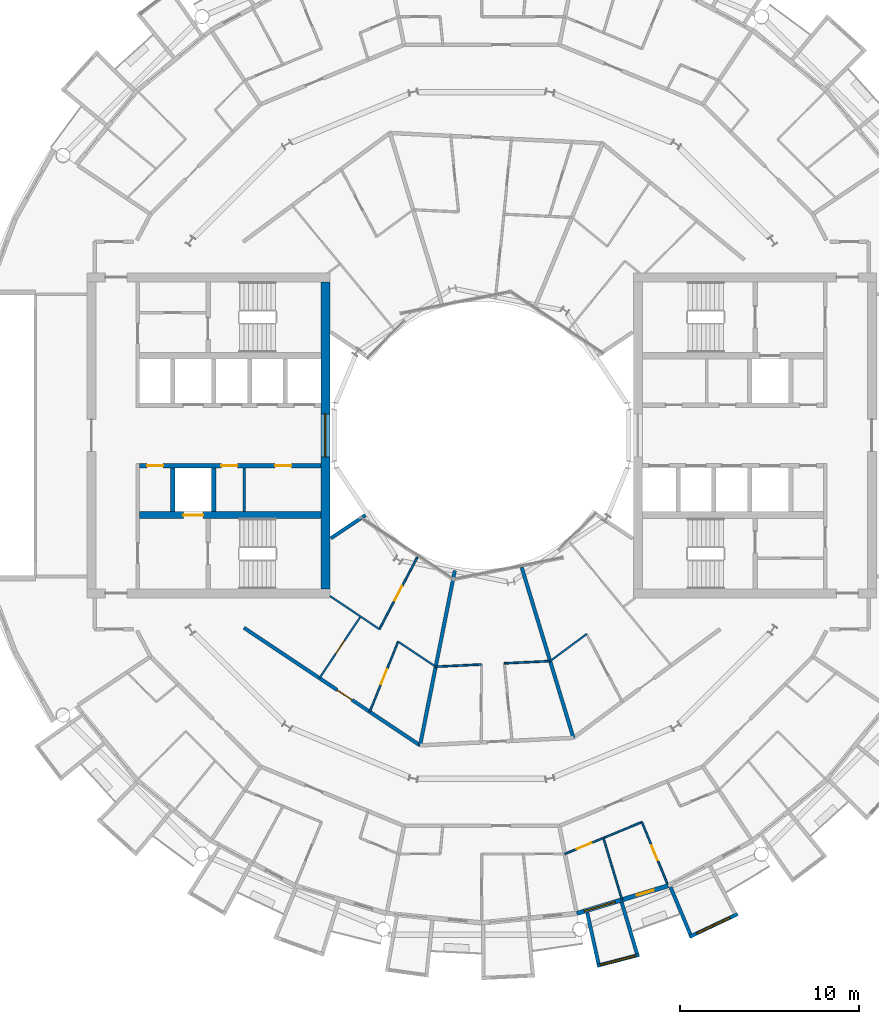
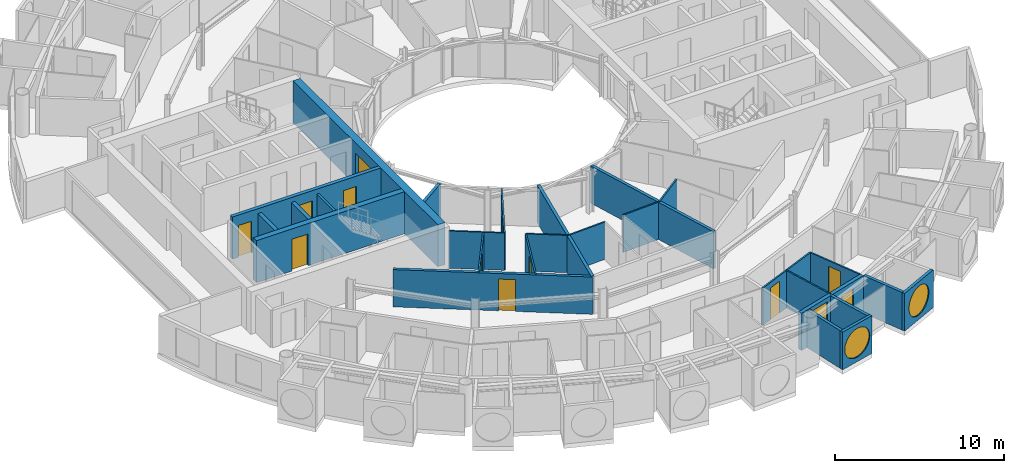
# One storey, part 16 of 27: 27 walls, 11 doors, 4 windows, 15 openings.
"""IFC4 building model written with IfcOpenShell, lengths in metres."""

from ifc_helpers import new_model, si_unit, direction, frame, frame_2d, origin, place, context, subcontext, project, spatial, rectangle, circle, extrude, material, layer, layer_set, type_object, element, fill, save


model = new_model("IFC4")

# Units and contexts
model_context = context("Model", 3, precision=1e-05, world=origin(), true_north=direction((0.0, 1.0)))
body_context = subcontext(model_context, "Body", "Model", "MODEL_VIEW")
ifc_project = project(units=[si_unit("LENGTHUNIT", "METRE"), si_unit("AREAUNIT", "SQUARE_METRE"), si_unit("VOLUMEUNIT", "CUBIC_METRE"), si_unit("PLANEANGLEUNIT", "RADIAN"), si_unit("MASSUNIT", "GRAM", prefix="KILO")], contexts=[model_context])

# Site, building, storey
site_placement = place(None, origin())
site = spatial("IfcSite", under=ifc_project, at=site_placement, CompositionType="ELEMENT")
building_placement = place(site_placement, origin())
building = spatial("IfcBuilding", under=site, at=building_placement, Name="Maasbend Ring Residences", CompositionType="ELEMENT")
storey_placement = place(building_placement, frame((0.0, 0.0, 167.699951171875)))
storey = spatial("IfcBuildingStorey", under=building, at=storey_placement, Name="L48", CompositionType="ELEMENT", Elevation=167.699951171875)

# Wall, openings, doors
ifc_material_1 = material(Name="Concrete C60/75", Category="concrete")
ifc_layer_1 = layer(ifc_material_1, 0.25)
ifc_layer_set_1 = layer_set([ifc_layer_1], Name="Concrete C60/75")
wall_type_1 = type_object("IfcWallType", Name="CORE WALL 250 C60/75", PredefinedType="SHEAR", material=ifc_layer_set_1)
wall_1_placement = place(storey_placement, frame((-9.0, -1.699951171875, 0.0), z_axis=(0.0, 0.0, 1.0), x_axis=(-1.0, 0.0, 0.0)))
wall_1 = element("IfcWall", 1, at=wall_1_placement, inside=storey, type_object=wall_type_1, Name="L48 core W wall SPN", PredefinedType="SHEAR", context=body_context, shape_type="SweptSolid", body=[
    extrude(rectangle(XDim=10.14990234375, YDim=0.25, at=frame_2d((5.074951171875, 0.0))), origin(), (0.0, 0.0, 1.0), 3.050048828125),
])
opening_1_placement = place(wall_1_placement, frame((1.66259765625, 0.0, 0.0)))
opening_1 = element("IfcOpeningElement", 2, at=opening_1_placement, cuts=wall_1, Name="Opening D-W4806", PredefinedType="OPENING", context=body_context, shape_type="SweptSolid", body=[
    extrude(rectangle(XDim=0.89990234375, YDim=2.300048828125, at=frame_2d((0.449951171875, 1.14990234375))), frame((0.0, 0.135009765625, 0.0), z_axis=(0.0, -1.0, 0.0), x_axis=(1.0, 0.0, 0.0)), (0.0, 0.0, 1.0), 0.27001953125),
])
opening_2_placement = place(wall_1_placement, frame((4.675048828125, 0.0, 0.0)))
opening_2 = element("IfcOpeningElement", 3, at=opening_2_placement, cuts=wall_1, Name="Opening D-W4807", PredefinedType="OPENING", context=body_context, shape_type="SweptSolid", body=[
    extrude(rectangle(XDim=0.89990234375, YDim=2.300048828125, at=frame_2d((0.449951171875, 1.14990234375))), frame((0.0, 0.135009765625, 0.0), z_axis=(0.0, -1.0, 0.0), x_axis=(1.0, 0.0, 0.0)), (0.0, 0.0, 1.0), 0.27001953125),
])
opening_3_placement = place(wall_1_placement, frame((8.83740234375, 0.0, 0.0)))
opening_3 = element("IfcOpeningElement", 4, at=opening_3_placement, cuts=wall_1, Name="Opening D-W4808", PredefinedType="OPENING", context=body_context, shape_type="SweptSolid", body=[
    extrude(rectangle(XDim=0.89990234375, YDim=2.300048828125, at=frame_2d((0.449951171875, 1.14990234375))), frame((0.0, 0.135009765625, 0.0), z_axis=(0.0, -1.0, 0.0), x_axis=(1.0, 0.0, 0.0)), (0.0, 0.0, 1.0), 0.27001953125),
])
ifc_material_2 = material(Name="Steel, powder coated", Category="steel")
door_type_1 = type_object("IfcDoorType", Name="ROOM DOOR 900 X 2300 FD30S", OperationType="NOTDEFINED", PredefinedType="DOOR", material=ifc_material_2)
door_1_placement = place(opening_1_placement, origin())
door_1 = element("IfcDoor", 5, at=door_1_placement, inside=storey, type_object=door_type_1, Name="Room door L48", OperationType="SINGLE_SWING_RIGHT", OverallHeight=2.300048828125, OverallWidth=0.89990234375, PredefinedType="DOOR", context=body_context, shape_type="SweptSolid", body=[
    extrude(rectangle(XDim=0.89990234375, YDim=2.300048828125, at=frame_2d((0.449951171875, 1.14990234375))), frame((0.0, 0.02490234375, 0.0), z_axis=(0.0, -1.0, 0.0), x_axis=(1.0, 0.0, 0.0)), (0.0, 0.0, 1.0), 0.050048828125),
])
fill(opening_1, door_1)
door_2_placement = place(opening_2_placement, origin())
door_2 = element("IfcDoor", 6, at=door_2_placement, inside=storey, type_object=door_type_1, Name="Room door L48", OperationType="SINGLE_SWING_LEFT", OverallHeight=2.300048828125, OverallWidth=0.89990234375, PredefinedType="DOOR", context=body_context, shape_type="SweptSolid", body=[
    extrude(rectangle(XDim=0.89990234375, YDim=2.300048828125, at=frame_2d((0.449951171875, 1.14990234375))), frame((0.0, 0.02490234375, 0.0), z_axis=(0.0, -1.0, 0.0), x_axis=(1.0, 0.0, 0.0)), (0.0, 0.0, 1.0), 0.050048828125),
])
fill(opening_2, door_2)
door_3_placement = place(opening_3_placement, origin())
door_3 = element("IfcDoor", 7, at=door_3_placement, inside=storey, type_object=door_type_1, Name="Room door L48", OperationType="SINGLE_SWING_LEFT", OverallHeight=2.300048828125, OverallWidth=0.89990234375, PredefinedType="DOOR", context=body_context, shape_type="SweptSolid", body=[
    extrude(rectangle(XDim=0.89990234375, YDim=2.300048828125, at=frame_2d((0.449951171875, 1.14990234375))), frame((0.0, 0.02490234375, 0.0), z_axis=(0.0, -1.0, 0.0), x_axis=(1.0, 0.0, 0.0)), (0.0, 0.0, 1.0), 0.050048828125),
])
fill(opening_3, door_3)

# Wall, opening, door
ifc_material_3 = material(Name="Concrete C60/75", Category="concrete")
ifc_layer_2 = layer(ifc_material_3, 0.375)
ifc_layer_set_2 = layer_set([ifc_layer_2], Name="Concrete C60/75")
wall_type_2 = type_object("IfcWallType", Name="CORE WALL 375 C60/75", PredefinedType="SHEAR", material=ifc_layer_set_2)
wall_2_placement = place(storey_placement, frame((-9.0, -4.46240234375, 0.0), z_axis=(0.0, 0.0, 1.0), x_axis=(-1.0, 0.0, 0.0)))
wall_2 = element("IfcWall", 8, at=wall_2_placement, inside=storey, type_object=wall_type_2, Name="L48 core W wall BN", PredefinedType="SHEAR", context=body_context, shape_type="SweptSolid", body=[
    extrude(rectangle(XDim=10.14990234375, YDim=0.375, at=frame_2d((5.074951171875, 0.0))), origin(), (0.0, 0.0, 1.0), 3.050048828125),
])
opening_4_placement = place(wall_2_placement, frame((6.60009765625, 0.0, 0.0)))
opening_4 = element("IfcOpeningElement", 9, at=opening_4_placement, cuts=wall_2, Name="Opening LD-W4801", PredefinedType="OPENING", context=body_context, shape_type="SweptSolid", body=[
    extrude(rectangle(XDim=1.10009765625, YDim=2.300048828125, at=frame_2d((0.550048828125, 1.14990234375))), frame((0.0, 0.197509765625, 0.0), z_axis=(0.0, -1.0, 0.0), x_axis=(1.0, 0.0, 0.0)), (0.0, 0.0, 1.0), 0.39501953125),
])
ifc_material_4 = material(Name="Stainless steel 316", Category="steel")
door_type_2 = type_object("IfcDoorType", Name="LANDING DOOR 1100 X 2300 FD60", OperationType="DOUBLE_DOOR_SLIDING", PredefinedType="DOOR", material=ifc_material_4)
door_4_placement = place(opening_4_placement, origin())
door_4 = element("IfcDoor", 10, at=door_4_placement, inside=storey, type_object=door_type_2, Name="Landing door FF-W L48", OperationType="DOUBLE_DOOR_SLIDING", OverallHeight=2.300048828125, OverallWidth=1.10009765625, PredefinedType="DOOR", context=body_context, shape_type="SweptSolid", body=[
    extrude(rectangle(XDim=1.10009765625, YDim=2.300048828125, at=frame_2d((0.550048828125, 1.14990234375))), frame((0.0, 0.02490234375, 0.0), z_axis=(0.0, -1.0, 0.0), x_axis=(1.0, 0.0, 0.0)), (0.0, 0.0, 1.0), 0.050048828125),
])
fill(opening_4, door_4)

# Wall, opening, window
ifc_material_5 = material(Name="Concrete C60/75", Category="concrete")
ifc_layer_3 = layer(ifc_material_5, 0.5)
ifc_layer_set_3 = layer_set([ifc_layer_3], Name="Concrete C60/75")
wall_type_3 = type_object("IfcWallType", Name="CORE WALL 500 C60/75", PredefinedType="SHEAR", material=ifc_layer_set_3)
wall_3_placement = place(storey_placement, frame((-8.75, 8.60009765625, 0.0), z_axis=(0.0, 0.0, 1.0), x_axis=(0.0, -1.0, 0.0)))
wall_3 = element("IfcWall", 11, at=wall_3_placement, inside=storey, type_object=wall_type_3, Name="L48 core W wall PIN", PredefinedType="SHEAR", context=body_context, shape_type="SweptSolid", body=[
    extrude(rectangle(XDim=17.2001953125, YDim=0.5, at=frame_2d((8.60009765625, 0.0))), origin(), (0.0, 0.0, 1.0), 3.050048828125),
])
opening_5_placement = place(wall_3_placement, frame((7.39990234375, 0.0, 0.10009765625)))
opening_5 = element("IfcOpeningElement", 12, at=opening_5_placement, cuts=wall_3, Name="Opening W-W4801", PredefinedType="OPENING", context=body_context, shape_type="SweptSolid", body=[
    extrude(rectangle(XDim=2.39990234375, YDim=2.199951171875, at=frame_2d((1.199951171875, 1.10009765625))), frame((0.0, 0.260009765625, 0.0), z_axis=(0.0, -1.0, 0.0), x_axis=(1.0, 0.0, 0.0)), (0.0, 0.0, 1.0), 0.52001953125),
])
ifc_material_6 = material(Name="Aluminium frame and clear glass", Category="aluminium")
window_type_1 = type_object("IfcWindowType", Name="FIXED WINDOW 2400 X 2200", PartitioningType="SINGLE_PANEL", PredefinedType="WINDOW", material=ifc_material_6)
window_1_placement = place(opening_5_placement, origin())
window_1 = element("IfcWindow", 13, at=window_1_placement, inside=storey, type_object=window_type_1, Name="Lobby window L48", OverallHeight=2.199951171875, OverallWidth=2.39990234375, PartitioningType="SINGLE_PANEL", PredefinedType="WINDOW", context=body_context, shape_type="SweptSolid", body=[
    extrude(rectangle(XDim=2.39990234375, YDim=2.199951171875, at=frame_2d((1.199951171875, 1.10009765625))), frame((0.0, 0.030029296875, 0.0), z_axis=(0.0, -1.0, 0.0), x_axis=(1.0, 0.0, 0.0)), (0.0, 0.0, 1.0), 0.06005859375),
])
fill(opening_5, window_1)

# Wall, opening, door
ifc_material_7 = material(Name="Concrete C30/37", Category="concrete")
ifc_layer_4 = layer(ifc_material_7, 0.199951171875)
ifc_layer_set_4 = layer_set([ifc_layer_4], Name="Concrete C30/37")
wall_type_4 = type_object("IfcWallType", Name="CORRIDOR WALL 200 CONCRETE", PredefinedType="PARTITIONING", material=ifc_layer_set_4)
wall_4_placement = place(storey_placement, frame((-13.30908203125, -10.77490234375, 0.0), z_axis=(0.0, 0.0, 1.0), x_axis=(0.831501812692, -0.555522038708, 0.0)))
wall_4 = element("IfcWall", 14, at=wall_4_placement, inside=storey, type_object=wall_type_4, Name="U-L48-w022", PredefinedType="PARTITIONING", context=body_context, shape_type="SweptSolid", body=[
    extrude(rectangle(XDim=11.85595703125, YDim=0.199951171875, at=frame_2d((5.927978515625, 0.0))), origin(), (0.0, 0.0, 1.0), 2.699951171875),
])
opening_6_placement = place(wall_4_placement, frame((6.27197265625, 0.0, 0.0)))
opening_6 = element("IfcOpeningElement", 15, at=opening_6_placement, cuts=wall_4, Name="Opening D-4854", PredefinedType="OPENING", context=body_context, shape_type="SweptSolid", body=[
    extrude(rectangle(XDim=1.0, YDim=2.300048828125, at=frame_2d((0.5, 1.14990234375))), frame((0.0, 0.10986328125, 0.0), z_axis=(0.0, -1.0, 0.0), x_axis=(1.0, 0.0, 0.0)), (0.0, 0.0, 1.0), 0.219970703125),
])
ifc_material_8 = material(Name="Timber, fire-rated, painted", Category="wood")
door_type_3 = type_object("IfcDoorType", Name="FLAT ENTRANCE DOOR 1000 X 2300 FIRE-RATED", OperationType="NOTDEFINED", PredefinedType="DOOR", material=ifc_material_8)
door_5_placement = place(opening_6_placement, origin())
door_5 = element("IfcDoor", 16, at=door_5_placement, inside=storey, type_object=door_type_3, Name="D-4854", OperationType="SINGLE_SWING_RIGHT", OverallHeight=2.300048828125, OverallWidth=1.0, PredefinedType="DOOR", context=body_context, shape_type="SweptSolid", body=[
    extrude(rectangle(XDim=1.0, YDim=2.300048828125, at=frame_2d((0.5, 1.14990234375))), frame((0.0, 0.02490234375, 0.0), z_axis=(0.0, -1.0, 0.0), x_axis=(1.0, 0.0, 0.0)), (0.0, 0.0, 1.0), 0.050048828125),
])
fill(opening_6, door_5)

# Wall, opening, window
ifc_material_9 = material(Name="Pale anodised aluminium panel", Category="aluminium")
ifc_layer_5 = layer(ifc_material_9, 0.199951171875)
ifc_layer_set_5 = layer_set([ifc_layer_5], Name="EW-BOX")
wall_type_5 = type_object("IfcWallType", Name="EW-BOX", PredefinedType="SOLIDWALL", material=ifc_layer_set_5)
wall_5_placement = place(storey_placement, frame((6.4609375, -29.705078125, -0.030029296875), z_axis=(0.0, 0.0, 1.0), x_axis=(0.96789536872, 0.251353446784, 0.0)))
wall_5 = element("IfcWall", 17, at=wall_5_placement, inside=storey, type_object=wall_type_5, Name="Box front S13", PredefinedType="SOLIDWALL", context=body_context, shape_type="SweptSolid", body=[
    extrude(rectangle(XDim=2.44677734375, YDim=0.199951171875, at=frame_2d((1.223388671875, 0.0))), origin(), (0.0, 0.0, 1.0), 2.72998046875),
])
opening_7_placement = place(wall_5_placement, frame((0.182861328125, 0.0, 0.330078125)))
opening_7 = element("IfcOpeningElement", 18, at=opening_7_placement, cuts=wall_5, Name="Opening W-RD", PredefinedType="OPENING", context=body_context, shape_type="SweptSolid", body=[
    extrude(circle(Radius=1.0400390625, at=frame_2d((1.0400390625, 1.0400390625))), frame((0.0, 0.10986328125, 0.0), z_axis=(0.0, -1.0, 0.0), x_axis=(1.0, 0.0, 0.0)), (0.0, 0.0, 1.0), 0.219970703125),
])
ifc_material_10 = material(Name="Aluminium and clear glass", Category="aluminium")
window_type_2 = type_object("IfcWindowType", Name="W-RD", PartitioningType="SINGLE_PANEL", PredefinedType="WINDOW", material=ifc_material_10)
window_2_placement = place(opening_7_placement, origin())
window_2 = element("IfcWindow", 19, at=window_2_placement, inside=storey, type_object=window_type_2, Name="Round window S13", OverallHeight=2.080078125, OverallWidth=2.080078125, PartitioningType="SINGLE_PANEL", PredefinedType="WINDOW", context=body_context, shape_type="SweptSolid", body=[
    extrude(circle(Radius=1.0400390625, at=frame_2d((1.0400390625, 1.0400390625))), frame((0.0, 0.030029296875, 0.0), z_axis=(0.0, -1.0, 0.0), x_axis=(1.0, 0.0, 0.0)), (0.0, 0.0, 1.0), 0.06005859375),
])
fill(opening_7, window_2)

# Walls
wall_6_placement = place(storey_placement, frame((5.908935546875, -26.72900390625, -0.030029296875), z_axis=(0.0, 0.0, 1.0), x_axis=(0.216409053917, -0.976302781612, 0.0)))
element("IfcWall", 20, at=wall_6_placement, inside=storey, type_object=wall_type_5, Name="Box side wall S13 left", PredefinedType="SOLIDWALL", context=body_context, shape_type="SweptSolid", body=[
    extrude(rectangle(XDim=2.92529296875, YDim=0.199951171875, at=frame_2d((1.462646484375, 0.0))), origin(), (0.0, 0.0, 1.0), 2.72998046875),
])
wall_7_placement = place(storey_placement, frame((7.8369140625, -26.14404296875, -0.030029296875), z_axis=(0.0, 0.0, 1.0), x_axis=(0.287064767992, -0.957911174889, 0.0)))
element("IfcWall", 21, at=wall_7_placement, inside=storey, type_object=wall_type_5, Name="Box side wall S13 right", PredefinedType="SOLIDWALL", context=body_context, shape_type="SweptSolid", body=[
    extrude(rectangle(XDim=3.00634765625, YDim=0.199951171875, at=frame_2d((1.503173828125, 0.0))), origin(), (0.0, 0.0, 1.0), 2.72998046875),
])

# Wall, opening, window
wall_8_placement = place(storey_placement, frame((11.62890625, -28.087890625, -0.030029296875), z_axis=(0.0, 0.0, 1.0), x_axis=(0.904000060331, 0.427532327342, 0.0)))
wall_8 = element("IfcWall", 22, at=wall_8_placement, inside=storey, type_object=wall_type_5, Name="Box front S15", PredefinedType="SOLIDWALL", context=body_context, shape_type="SweptSolid", body=[
    extrude(rectangle(XDim=2.993408203125, YDim=0.199951171875, at=frame_2d((1.49658203125, 0.0))), origin(), (0.0, 0.0, 1.0), 2.72998046875),
])
opening_8_placement = place(wall_8_placement, frame((0.45654296875, 0.0, 0.330078125)))
opening_8 = element("IfcOpeningElement", 23, at=opening_8_placement, cuts=wall_8, Name="Opening W-RD", PredefinedType="OPENING", context=body_context, shape_type="SweptSolid", body=[
    extrude(circle(Radius=1.0400390625, at=frame_2d((1.0400390625, 1.0400390625))), frame((0.0, 0.10986328125, 0.0), z_axis=(0.0, -1.0, 0.0), x_axis=(1.0, 0.0, 0.0)), (0.0, 0.0, 1.0), 0.219970703125),
])
window_3_placement = place(opening_8_placement, origin())
window_3 = element("IfcWindow", 24, at=window_3_placement, inside=storey, type_object=window_type_2, Name="Round window S15", OverallHeight=2.080078125, OverallWidth=2.080078125, PartitioningType="SINGLE_PANEL", PredefinedType="WINDOW", context=body_context, shape_type="SweptSolid", body=[
    extrude(circle(Radius=1.0400390625, at=frame_2d((1.0400390625, 1.0400390625))), frame((0.0, 0.030029296875, 0.0), z_axis=(0.0, -1.0, 0.0), x_axis=(1.0, 0.0, 0.0)), (0.0, 0.0, 1.0), 0.06005859375),
])
fill(opening_8, window_3)

# Wall
wall_9_placement = place(storey_placement, frame((10.574951171875, -25.294921875, -0.030029296875), z_axis=(0.0, 0.0, 1.0), x_axis=(0.385697364644, -0.922625353492, 0.0)))
element("IfcWall", 25, at=wall_9_placement, inside=storey, type_object=wall_type_5, Name="Box side wall S15 left", PredefinedType="SOLIDWALL", context=body_context, shape_type="SweptSolid", body=[
    extrude(rectangle(XDim=2.88330078125, YDim=0.199951171875, at=frame_2d((1.441650390625, 0.0))), origin(), (0.0, 0.0, 1.0), 2.72998046875),
])

# Wall, openings, door, window
ifc_material_11 = material(Name="Aluminium clad insulated panel", Category="aluminium")
ifc_layer_6 = layer(ifc_material_11, 0.25)
ifc_layer_set_6 = layer_set([ifc_layer_6], Name="EW-GL")
wall_type_6 = type_object("IfcWallType", Name="EW-GL", PredefinedType="SOLIDWALL", material=ifc_layer_set_6)
wall_10_placement = place(storey_placement, frame((5.325927734375, -26.77490234375, 0.0), z_axis=(0.0, 0.0, 1.0), x_axis=(0.956965678721, 0.290201119486, 0.0)))
wall_10 = element("IfcWall", 26, at=wall_10_placement, inside=storey, type_object=wall_type_6, Name="External wall S07", PredefinedType="SOLIDWALL", context=body_context, shape_type="SweptSolid", body=[
    extrude(rectangle(XDim=5.351318359375, YDim=0.25, at=frame_2d((2.67578125, 0.0))), origin(), (0.0, 0.0, 1.0), 2.699951171875),
])
opening_9_placement = place(wall_10_placement, frame((0.441162109375, 0.0, 0.300048828125)))
opening_9 = element("IfcOpeningElement", 27, at=opening_9_placement, cuts=wall_10, Name="Opening W-BX", PredefinedType="OPENING", context=body_context, shape_type="SweptSolid", body=[
    extrude(rectangle(XDim=1.800048828125, YDim=2.10009765625, at=frame_2d((0.89990234375, 1.050048828125))), frame((0.0, 0.135009765625, 0.0), z_axis=(0.0, -1.0, 0.0), x_axis=(1.0, 0.0, 0.0)), (0.0, 0.0, 1.0), 0.27001953125),
])
opening_10_placement = place(wall_10_placement, frame((3.510498046875, 0.0, 0.0)))
opening_10 = element("IfcOpeningElement", 28, at=opening_10_placement, cuts=wall_10, Name="Opening D-LG", PredefinedType="OPENING", context=body_context, shape_type="SweptSolid", body=[
    extrude(rectangle(XDim=1.0, YDim=2.199951171875, at=frame_2d((0.5, 1.10009765625))), frame((0.0, 0.135009765625, 0.0), z_axis=(0.0, -1.0, 0.0), x_axis=(1.0, 0.0, 0.0)), (0.0, 0.0, 1.0), 0.27001953125),
])
ifc_material_12 = material(Name="Aluminium and clear glass", Category="aluminium")
door_type_4 = type_object("IfcDoorType", Name="D-LG", OperationType="SINGLE_SWING_LEFT", PredefinedType="DOOR", material=ifc_material_12)
door_6_placement = place(opening_10_placement, origin())
door_6 = element("IfcDoor", 29, at=door_6_placement, inside=storey, type_object=door_type_4, Name="Loggia door S14", OperationType="SINGLE_SWING_LEFT", OverallHeight=2.199951171875, OverallWidth=1.0, PredefinedType="DOOR", context=body_context, shape_type="SweptSolid", body=[
    extrude(rectangle(XDim=1.0, YDim=2.199951171875, at=frame_2d((0.5, 1.10009765625))), frame((0.0, 0.02490234375, 0.0), z_axis=(0.0, -1.0, 0.0), x_axis=(1.0, 0.0, 0.0)), (0.0, 0.0, 1.0), 0.050048828125),
])
fill(opening_10, door_6)
ifc_material_13 = material(Name="Aluminium and clear glass", Category="aluminium")
window_type_3 = type_object("IfcWindowType", Name="W-BX", PartitioningType="DOUBLE_PANEL_VERTICAL", PredefinedType="WINDOW", material=ifc_material_13)
window_4_placement = place(opening_9_placement, origin())
window_4 = element("IfcWindow", 30, at=window_4_placement, inside=storey, type_object=window_type_3, Name="Window S13 room to box", OverallHeight=2.10009765625, OverallWidth=1.800048828125, PartitioningType="SINGLE_PANEL", PredefinedType="WINDOW", context=body_context, shape_type="SweptSolid", body=[
    extrude(rectangle(XDim=1.800048828125, YDim=2.10009765625, at=frame_2d((0.89990234375, 1.050048828125))), frame((0.0, 0.030029296875, 0.0), z_axis=(0.0, -1.0, 0.0), x_axis=(1.0, 0.0, 0.0)), (0.0, 0.0, 1.0), 0.06005859375),
])
fill(opening_9, window_4)

# Wall, opening, door
ifc_material_14 = material(Name="Gypsum board on steel studs", Category="steel")
ifc_layer_7 = layer(ifc_material_14, 0.10009765625)
ifc_layer_set_7 = layer_set([ifc_layer_7], Name="PARTITION 100 GYPSUM")
wall_type_7 = type_object("IfcWallType", Name="PARTITION 100 GYPSUM", PredefinedType="PARTITIONING", material=ifc_layer_set_7)
wall_11_placement = place(storey_placement, frame((4.656005859375, -23.44189453125, 0.0), z_axis=(0.0, 0.0, 1.0), x_axis=(0.923994503548, 0.382405749712, 0.0)))
wall_11 = element("IfcWall", 31, at=wall_11_placement, inside=storey, type_object=wall_type_7, Name="U-L48-w007", PredefinedType="PARTITIONING", context=body_context, shape_type="SweptSolid", body=[
    extrude(rectangle(XDim=4.66259765625, YDim=0.10009765625, at=frame_2d((2.331298828125, 0.0))), origin(), (0.0, 0.0, 1.0), 2.699951171875),
])
opening_11_placement = place(wall_11_placement, frame((0.72607421875, 0.0, 0.0)))
opening_11 = element("IfcOpeningElement", 32, at=opening_11_placement, cuts=wall_11, Name="Opening D-4849", PredefinedType="OPENING", context=body_context, shape_type="SweptSolid", body=[
    extrude(rectangle(XDim=0.89990234375, YDim=2.300048828125, at=frame_2d((0.449951171875, 1.14990234375))), frame((0.0, 0.06005859375, 0.0), z_axis=(0.0, -1.0, 0.0), x_axis=(1.0, 0.0, 0.0)), (0.0, 0.0, 1.0), 0.1201171875),
])
ifc_material_15 = material(Name="Timber, painted", Category="wood")
door_type_5 = type_object("IfcDoorType", Name="INTERNAL DOOR 900 X 2300", OperationType="NOTDEFINED", PredefinedType="DOOR", material=ifc_material_15)
door_7_placement = place(opening_11_placement, origin())
door_7 = element("IfcDoor", 33, at=door_7_placement, inside=storey, type_object=door_type_5, Name="D-4849", OperationType="SINGLE_SWING_LEFT", OverallHeight=2.300048828125, OverallWidth=0.89990234375, PredefinedType="DOOR", context=body_context, shape_type="SweptSolid", body=[
    extrude(rectangle(XDim=0.89990234375, YDim=2.300048828125, at=frame_2d((0.449951171875, 1.14990234375))), frame((0.0, 0.02490234375, 0.0), z_axis=(0.0, -1.0, 0.0), x_axis=(1.0, 0.0, 0.0)), (0.0, 0.0, 1.0), 0.050048828125),
])
fill(opening_11, door_7)

# Walls
wall_12_placement = place(storey_placement, frame((-2.576904296875, -12.955078125, 0.0), z_axis=(0.0, 0.0, 1.0), x_axis=(0.998796046378, 0.049055659616, 0.0)))
element("IfcWall", 34, at=wall_12_placement, inside=storey, type_object=wall_type_7, Name="U-L48-w023", PredefinedType="PARTITIONING", context=body_context, shape_type="SweptSolid", body=[
    extrude(rectangle(XDim=2.568115234375, YDim=0.10009765625, at=frame_2d((1.2841796875, 0.0))), origin(), (0.0, 0.0, 1.0), 2.699951171875),
])
wall_13_placement = place(storey_placement, frame((1.27001953125, -12.76611328125, 0.0), z_axis=(0.0, 0.0, 1.0), x_axis=(0.998790464653, 0.049169174464, 0.0)))
element("IfcWall", 35, at=wall_13_placement, inside=storey, type_object=wall_type_7, Name="U-L48-w024", PredefinedType="PARTITIONING", context=body_context, shape_type="SweptSolid", body=[
    extrude(rectangle(XDim=2.567138671875, YDim=0.10009765625, at=frame_2d((1.28369140625, 0.0))), origin(), (0.0, 0.0, 1.0), 2.699951171875),
])
wall_14_placement = place(storey_placement, frame((3.8349609375, -12.639892578125, 0.0), z_axis=(0.0, 0.0, 1.0), x_axis=(0.803259509791, 0.595629213463, 0.0)))
element("IfcWall", 36, at=wall_14_placement, inside=storey, type_object=wall_type_7, Name="U-L48-w025", PredefinedType="PARTITIONING", context=body_context, shape_type="SweptSolid", body=[
    extrude(rectangle(XDim=2.54345703125, YDim=0.10009765625, at=frame_2d((1.271728515625, 0.0))), origin(), (0.0, 0.0, 1.0), 2.699951171875),
])
wall_15_placement = place(storey_placement, frame((-8.5, -8.998046875, 0.0), z_axis=(0.0, 0.0, 1.0), x_axis=(0.831531456502, -0.55547766548, 0.0)))
element("IfcWall", 37, at=wall_15_placement, inside=storey, type_object=wall_type_7, Name="U-L48-w027", PredefinedType="PARTITIONING", context=body_context, shape_type="SweptSolid", body=[
    extrude(rectangle(XDim=3.33251953125, YDim=0.10009765625, at=frame_2d((1.666259765625, 0.0))), origin(), (0.0, 0.0, 1.0), 2.699951171875),
])
wall_16_placement = place(storey_placement, frame((-4.677001953125, -11.552001953125, 0.0), z_axis=(0.0, 0.0, 1.0), x_axis=(0.83155963659, -0.555435478517, 0.0)))
element("IfcWall", 38, at=wall_16_placement, inside=storey, type_object=wall_type_7, Name="U-L48-w028", PredefinedType="PARTITIONING", context=body_context, shape_type="SweptSolid", body=[
    extrude(rectangle(XDim=2.52783203125, YDim=0.10009765625, at=frame_2d((1.263916015625, 0.0))), origin(), (0.0, 0.0, 1.0), 2.699951171875),
])

# Wall, opening, door
wall_17_placement = place(storey_placement, frame((-9.0849609375, -13.596923828125, 0.0), z_axis=(0.0, 0.0, 1.0), x_axis=(0.555528237031, 0.831497671591, 0.0)))
wall_17 = element("IfcWall", 39, at=wall_17_placement, inside=storey, type_object=wall_type_7, Name="U-L48-w050", PredefinedType="PARTITIONING", context=body_context, shape_type="SweptSolid", body=[
    extrude(rectangle(XDim=4.149169921875, YDim=0.10009765625, at=frame_2d((2.07470703125, 0.0))), origin(), (0.0, 0.0, 1.0), 2.699951171875),
])
opening_12_placement = place(wall_17_placement, frame((1.625, 0.0, 0.0)))
opening_12 = element("IfcOpeningElement", 40, at=opening_12_placement, cuts=wall_17, Name="Opening D-4856", PredefinedType="OPENING", context=body_context, shape_type="SweptSolid", body=[
    extrude(rectangle(XDim=0.89990234375, YDim=2.300048828125, at=frame_2d((0.449951171875, 1.14990234375))), frame((0.0, 0.06005859375, 0.0), z_axis=(0.0, -1.0, 0.0), x_axis=(1.0, 0.0, 0.0)), (0.0, 0.0, 1.0), 0.1201171875),
])
door_8_placement = place(opening_12_placement, origin())
door_8 = element("IfcDoor", 41, at=door_8_placement, inside=storey, type_object=door_type_5, Name="D-4856", OperationType="SINGLE_SWING_LEFT", OverallHeight=2.300048828125, OverallWidth=0.89990234375, PredefinedType="DOOR", context=body_context, shape_type="SweptSolid", body=[
    extrude(rectangle(XDim=0.89990234375, YDim=2.300048828125, at=frame_2d((0.449951171875, 1.14990234375))), frame((0.0, 0.02490234375, 0.0), z_axis=(0.0, -1.0, 0.0), x_axis=(1.0, 0.0, 0.0)), (0.0, 0.0, 1.0), 0.050048828125),
])
fill(opening_12, door_8)

wall_18_placement = place(storey_placement, frame((-6.26904296875, -15.47802734375, 0.0), z_axis=(0.0, 0.0, 1.0), x_axis=(0.375509828455, 0.926818411952, 0.0)))
wall_18 = element("IfcWall", 42, at=wall_18_placement, inside=storey, type_object=wall_type_7, Name="U-L48-w053", PredefinedType="PARTITIONING", context=body_context, shape_type="SweptSolid", body=[
    extrude(rectangle(XDim=4.237060546875, YDim=0.10009765625, at=frame_2d((2.11865234375, 0.0))), origin(), (0.0, 0.0, 1.0), 2.699951171875),
])
opening_13_placement = place(wall_18_placement, frame((1.6689453125, 0.0, 0.0)))
opening_13 = element("IfcOpeningElement", 43, at=opening_13_placement, cuts=wall_18, Name="Opening D-4855", PredefinedType="OPENING", context=body_context, shape_type="SweptSolid", body=[
    extrude(rectangle(XDim=0.89990234375, YDim=2.300048828125, at=frame_2d((0.449951171875, 1.14990234375))), frame((0.0, 0.06005859375, 0.0), z_axis=(0.0, -1.0, 0.0), x_axis=(1.0, 0.0, 0.0)), (0.0, 0.0, 1.0), 0.1201171875),
])
door_9_placement = place(opening_13_placement, origin())
door_9 = element("IfcDoor", 44, at=door_9_placement, inside=storey, type_object=door_type_5, Name="D-4855", OperationType="SINGLE_SWING_LEFT", OverallHeight=2.300048828125, OverallWidth=0.89990234375, PredefinedType="DOOR", context=body_context, shape_type="SweptSolid", body=[
    extrude(rectangle(XDim=0.89990234375, YDim=2.300048828125, at=frame_2d((0.449951171875, 1.14990234375))), frame((0.0, 0.02490234375, 0.0), z_axis=(0.0, -1.0, 0.0), x_axis=(1.0, 0.0, 0.0)), (0.0, 0.0, 1.0), 0.050048828125),
])
fill(opening_13, door_9)

wall_19_placement = place(storey_placement, frame((-5.72900390625, -10.84912109375, 0.0), z_axis=(0.0, 0.0, 1.0), x_axis=(0.466962677975, 0.884277025246, 0.0)))
wall_19 = element("IfcWall", 45, at=wall_19_placement, inside=storey, type_object=wall_type_7, Name="U-L48-w054", PredefinedType="PARTITIONING", context=body_context, shape_type="SweptSolid", body=[
    extrude(rectangle(XDim=4.548583984375, YDim=0.10009765625, at=frame_2d((2.2744140625, 0.0))), origin(), (0.0, 0.0, 1.0), 2.699951171875),
])
opening_14_placement = place(wall_19_placement, frame((1.823974609375, 0.0, 0.0)))
opening_14 = element("IfcOpeningElement", 46, at=opening_14_placement, cuts=wall_19, Name="Opening D-4857", PredefinedType="OPENING", context=body_context, shape_type="SweptSolid", body=[
    extrude(rectangle(XDim=0.89990234375, YDim=2.300048828125, at=frame_2d((0.449951171875, 1.14990234375))), frame((0.0, 0.06005859375, 0.0), z_axis=(0.0, -1.0, 0.0), x_axis=(1.0, 0.0, 0.0)), (0.0, 0.0, 1.0), 0.1201171875),
])
door_10_placement = place(opening_14_placement, origin())
door_10 = element("IfcDoor", 47, at=door_10_placement, inside=storey, type_object=door_type_5, Name="D-4857", OperationType="SINGLE_SWING_RIGHT", OverallHeight=2.300048828125, OverallWidth=0.89990234375, PredefinedType="DOOR", context=body_context, shape_type="SweptSolid", body=[
    extrude(rectangle(XDim=0.89990234375, YDim=2.300048828125, at=frame_2d((0.449951171875, 1.14990234375))), frame((0.0, 0.02490234375, 0.0), z_axis=(0.0, -1.0, 0.0), x_axis=(1.0, 0.0, 0.0)), (0.0, 0.0, 1.0), 0.050048828125),
])
fill(opening_14, door_10)

# Wall
wall_20_placement = place(storey_placement, frame((6.81689453125, -22.549072265625, 0.0), z_axis=(0.0, 0.0, 1.0), x_axis=(0.289439829793, -0.957196210256, 0.0)))
element("IfcWall", 48, at=wall_20_placement, inside=storey, type_object=wall_type_7, Name="U-L48-w077", PredefinedType="PARTITIONING", context=body_context, shape_type="SweptSolid", body=[
    extrude(rectangle(XDim=3.61767578125, YDim=0.10009765625, at=frame_2d((1.808837890625, 0.0))), origin(), (0.0, 0.0, 1.0), 2.699951171875),
])

# Wall, opening, door
wall_21_placement = place(storey_placement, frame((8.969970703125, -21.656005859375, 0.0), z_axis=(0.0, 0.0, 1.0), x_axis=(0.382669377748, -0.923885353999, 0.0)))
wall_21 = element("IfcWall", 49, at=wall_21_placement, inside=storey, type_object=wall_type_7, Name="U-L48-w080", PredefinedType="PARTITIONING", context=body_context, shape_type="SweptSolid", body=[
    extrude(rectangle(XDim=3.734130859375, YDim=0.10009765625, at=frame_2d((1.8671875, 0.0))), origin(), (0.0, 0.0, 1.0), 2.699951171875),
])
opening_15_placement = place(wall_21_placement, frame((1.4169921875, 0.0, 0.0)))
opening_15 = element("IfcOpeningElement", 50, at=opening_15_placement, cuts=wall_21, Name="Opening D-4848", PredefinedType="OPENING", context=body_context, shape_type="SweptSolid", body=[
    extrude(rectangle(XDim=0.89990234375, YDim=2.300048828125, at=frame_2d((0.449951171875, 1.14990234375))), frame((0.0, 0.06005859375, 0.0), z_axis=(0.0, -1.0, 0.0), x_axis=(1.0, 0.0, 0.0)), (0.0, 0.0, 1.0), 0.1201171875),
])
door_11_placement = place(opening_15_placement, origin())
door_11 = element("IfcDoor", 51, at=door_11_placement, inside=storey, type_object=door_type_5, Name="D-4848", OperationType="SINGLE_SWING_RIGHT", OverallHeight=2.300048828125, OverallWidth=0.89990234375, PredefinedType="DOOR", context=body_context, shape_type="SweptSolid", body=[
    extrude(rectangle(XDim=0.89990234375, YDim=2.300048828125, at=frame_2d((0.449951171875, 1.14990234375))), frame((0.0, 0.02490234375, 0.0), z_axis=(0.0, -1.0, 0.0), x_axis=(1.0, 0.0, 0.0)), (0.0, 0.0, 1.0), 0.050048828125),
])
fill(opening_15, door_11)

# Walls
ifc_material_16 = material(Name="Gypsum board on steel studs", Category="steel")
ifc_layer_8 = layer(ifc_material_16, 0.14990234375)
ifc_layer_set_8 = layer_set([ifc_layer_8], Name="PARTITION 150 EI 60")
wall_type_8 = type_object("IfcWallType", Name="PARTITION 150 EI 60", PredefinedType="PARTITIONING", material=ifc_layer_set_8)
wall_22_placement = place(storey_placement, frame((-13.300048828125, -1.824951171875, 0.0), z_axis=(0.0, 0.0, 1.0), x_axis=(0.0, -1.0, 0.0)))
element("IfcWall", 52, at=wall_22_placement, inside=storey, type_object=wall_type_8, Name="L48 core W wall PRN1330", PredefinedType="PARTITIONING", context=body_context, shape_type="SweptSolid", body=[
    extrude(rectangle(XDim=2.449951171875, YDim=0.14990234375, at=frame_2d((1.22509765625, 0.0))), origin(), (0.0, 0.0, 1.0), 2.699951171875),
])
ifc_material_17 = material(Name="Concrete C30/37", Category="concrete")
ifc_layer_9 = layer(ifc_material_17, 0.199951171875)
ifc_layer_set_9 = layer_set([ifc_layer_9], Name="Concrete C30/37")
wall_type_9 = type_object("IfcWallType", Name="PARTY WALL 200 CONCRETE", PredefinedType="PARTITIONING", material=ifc_layer_set_9)
wall_23_placement = place(storey_placement, frame((-6.512939453125, -4.471923828125, 0.0), z_axis=(0.0, 0.0, 1.0), x_axis=(-0.83133816625, -0.555766905579, 0.0)))
element("IfcWall", 53, at=wall_23_placement, inside=storey, type_object=wall_type_9, Name="U-L48-w031", PredefinedType="PARTITIONING", context=body_context, shape_type="SweptSolid", body=[
    extrude(rectangle(XDim=2.322998046875, YDim=0.199951171875, at=frame_2d((1.16162109375, 0.0))), origin(), (0.0, 0.0, 1.0), 2.699951171875),
])
for number, where, z_axis, x_axis, name in (
    (54, (-3.449951171875, -17.360107421875, 0.0), (0.0, 0.0, 1.0), (0.195001023206, 0.980803038815, 0.0), "U-L48-w058"),
    (55, (2.240966796875, -7.387939453125, 0.0), (0.0, 0.0, 1.0), (0.290284403441, -0.956940418793, 0.0), "U-L48-w067"),
):
    element("IfcWall", number, at=place(storey_placement, frame(where, z_axis=z_axis, x_axis=x_axis)), inside=storey, type_object=wall_type_9, Name=name, PredefinedType="PARTITIONING", context=body_context, shape_type="SweptSolid", body=[
        extrude(rectangle(XDim=9.979736328125, YDim=0.199951171875, at=frame_2d((4.98974609375, 0.0))), origin(), (0.0, 0.0, 1.0), 2.699951171875),
    ])
ifc_material_18 = material(Name="Concrete C30/37", Category="concrete")
ifc_layer_10 = layer(ifc_material_18, 0.25)
ifc_layer_set_10 = layer_set([ifc_layer_10], Name="Concrete C30/37")
wall_type_10 = type_object("IfcWallType", Name="SHAFT WALL 250 EI 120", PredefinedType="SOLIDWALL", material=ifc_layer_set_10)
for number, where, z_axis, x_axis, name in (
    (56, (-15.0, -1.824951171875, 0.0), (0.0, 0.0, 1.0), (0.0, -1.0, 0.0), "L48 core W wall D150N"),
    (57, (-17.300048828125, -1.824951171875, 0.0), (0.0, 0.0, 1.0), (0.0, -1.0, 0.0), "L48 core W wall D173N"),
):
    element("IfcWall", number, at=place(storey_placement, frame(where, z_axis=z_axis, x_axis=x_axis)), inside=storey, type_object=wall_type_10, Name=name, PredefinedType="SOLIDWALL", context=body_context, shape_type="SweptSolid", body=[
        extrude(rectangle(XDim=2.449951171875, YDim=0.25, at=frame_2d((1.22509765625, 0.0))), origin(), (0.0, 0.0, 1.0), 2.699951171875),
    ])

save(model, "model.ifc")
